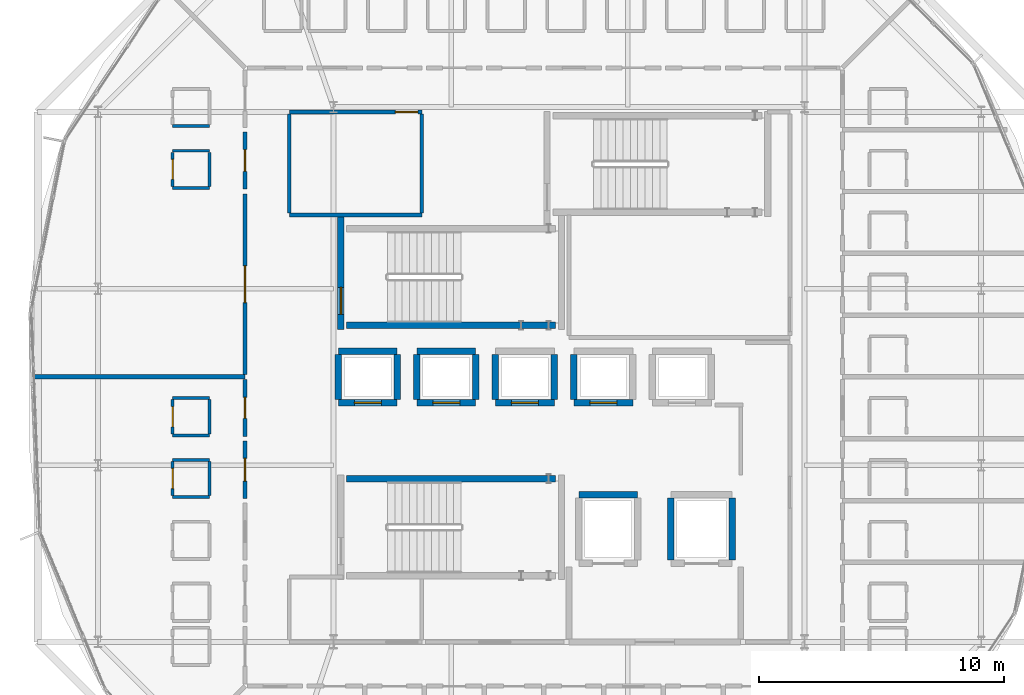
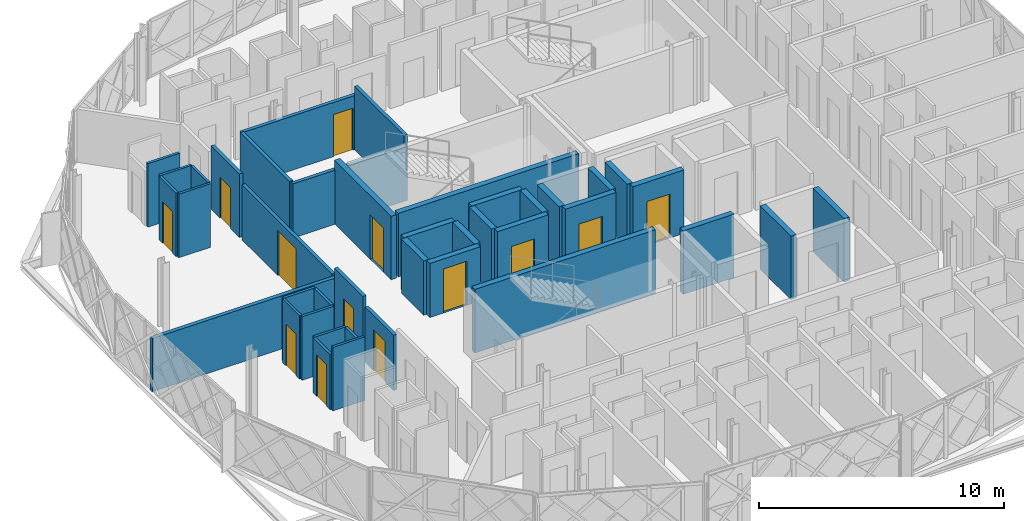
# One storey, part 15 of 24: 41 walls, 13 doors, 13 openings.
"""IFC4 building model written with IfcOpenShell, lengths in metres."""

from ifc_helpers import new_model, si_unit, direction, frame, frame_2d, origin, place, context, subcontext, project, spatial, rectangle, extrude, material, layer, layer_set, type_object, element, fill, save


model = new_model("IFC4")

# Units and contexts
model_context = context("Model", 3, precision=1e-05, world=origin(), true_north=direction((0.0, 1.0)))
body_context = subcontext(model_context, "Body", "Model", "MODEL_VIEW")
ifc_project = project(units=[si_unit("LENGTHUNIT", "METRE"), si_unit("AREAUNIT", "SQUARE_METRE"), si_unit("VOLUMEUNIT", "CUBIC_METRE"), si_unit("PLANEANGLEUNIT", "RADIAN"), si_unit("MASSUNIT", "GRAM", prefix="KILO")], contexts=[model_context])

# Site, building, storey
site_placement = place(None, origin())
site = spatial("IfcSite", under=ifc_project, at=site_placement, CompositionType="ELEMENT")
building_placement = place(site_placement, origin())
building = spatial("IfcBuilding", under=site, at=building_placement, Name="Zevrakil Square Congress Hotel", CompositionType="ELEMENT")
storey_placement = place(building_placement, frame((0.0, 0.0, 31.699951171875)))
storey = spatial("IfcBuildingStorey", under=building, at=storey_placement, Name="L09", CompositionType="ELEMENT", Elevation=31.699951171875)

# Wall
ifc_material_1 = material(Name="Gypsum Acoustic Stud Partition")
ifc_layer_1 = layer(ifc_material_1, 0.159912109375)
ifc_layer_set_1 = layer_set([ifc_layer_1], Name="Gypsum Acoustic Stud Partition")
wall_type_1 = type_object("IfcWallType", Name="WAL-CORR-160", PredefinedType="PARTITIONING", material=ifc_layer_set_1)
wall_1_placement = place(storey_placement, frame((135.0, 34.199951171875, 0.0), z_axis=(0.0, 0.0, 1.0), x_axis=(1.0, 0.0, 0.0)))
element("IfcWall", 1, at=wall_1_placement, inside=storey, type_object=wall_type_1, Name="L09 interior partition PW-L09-1356", PredefinedType="PARTITIONING", context=body_context, shape_type="SweptSolid", body=[
    extrude(rectangle(XDim=5.39990234375, YDim=0.159912109375, at=frame_2d((2.699951171875, 0.0))), origin(), (0.0, 0.0, 1.0), 2.705078125),
])

# Wall, opening, door
wall_2_placement = place(storey_placement, frame((135.0, 38.39990234375, 0.0), z_axis=(0.0, 0.0, 1.0), x_axis=(1.0, 0.0, 0.0)))
wall_2 = element("IfcWall", 2, at=wall_2_placement, inside=storey, type_object=wall_type_1, Name="L09 interior partition PW-L09-1357", PredefinedType="PARTITIONING", context=body_context, shape_type="SweptSolid", body=[
    extrude(rectangle(XDim=5.39990234375, YDim=0.159912109375, at=frame_2d((2.699951171875, 0.0))), origin(), (0.0, 0.0, 1.0), 2.705078125),
])
opening_1_placement = place(wall_2_placement, frame((4.320068359375, 0.0, 0.0)))
opening_1 = element("IfcOpeningElement", 3, at=opening_1_placement, cuts=wall_2, Name="Opening ID-07", PredefinedType="OPENING", context=body_context, shape_type="SweptSolid", body=[
    extrude(rectangle(XDim=0.919921875, YDim=2.10009765625, at=frame_2d((0.4599609375, 1.050048828125))), frame((0.0, 0.08984375, 0.0), z_axis=(0.0, -1.0, 0.0), x_axis=(1.0, 0.0, 0.0)), (0.0, 0.0, 1.0), 0.179931640625),
])
ifc_material_2 = material(Name="Accessible Restroom Door")
door_type_1 = type_object("IfcDoorType", Name="DOR-WC-092", OperationType="NOTDEFINED", PredefinedType="DOOR", material=ifc_material_2)
door_1_placement = place(opening_1_placement, origin())
door_1 = element("IfcDoor", 4, at=door_1_placement, inside=storey, type_object=door_type_1, Name="L09 interior door 530", OperationType="SINGLE_SWING_RIGHT", OverallHeight=2.10009765625, OverallWidth=0.919921875, PredefinedType="DOOR", context=body_context, shape_type="SweptSolid", body=[
    extrude(rectangle(XDim=0.919921875, YDim=2.10009765625, at=frame_2d((0.4599609375, 1.050048828125))), frame((0.0, 0.02490234375, 0.0), z_axis=(0.0, -1.0, 0.0), x_axis=(1.0, 0.0, 0.0)), (0.0, 0.0, 1.0), 0.050048828125),
])
fill(opening_1, door_1)

# Walls
wall_3_placement = place(storey_placement, frame((135.0, 34.284912109375, 0.0), z_axis=(0.0, 0.0, 1.0), x_axis=(0.0, 1.0, 0.0)))
element("IfcWall", 5, at=wall_3_placement, inside=storey, type_object=wall_type_1, Name="L09 interior partition PW-L09-1358", PredefinedType="PARTITIONING", context=body_context, shape_type="SweptSolid", body=[
    extrude(rectangle(XDim=4.030029296875, YDim=0.159912109375, at=frame_2d((2.01513671875, 0.0))), origin(), (0.0, 0.0, 1.0), 2.755126953125),
])
wall_4_placement = place(storey_placement, frame((140.39990234375, 34.284912109375, 0.0), z_axis=(0.0, 0.0, 1.0), x_axis=(0.0, 1.0, 0.0)))
element("IfcWall", 6, at=wall_4_placement, inside=storey, type_object=wall_type_1, Name="L09 interior partition PW-L09-1359", PredefinedType="PARTITIONING", context=body_context, shape_type="SweptSolid", body=[
    extrude(rectangle(XDim=4.030029296875, YDim=0.159912109375, at=frame_2d((2.01513671875, 0.0))), origin(), (0.0, 0.0, 1.0), 3.170166015625),
])

# Wall, opening, door
wall_5_placement = place(storey_placement, frame((133.199951171875, 27.695068359375, 0.0), z_axis=(0.0, 0.0, 1.0), x_axis=(0.0, 1.0, 0.0)))
wall_5 = element("IfcWall", 7, at=wall_5_placement, inside=storey, type_object=wall_type_1, Name="L09 interior partition PW-L09-1369", PredefinedType="PARTITIONING", context=body_context, shape_type="SweptSolid", body=[
    extrude(rectangle(XDim=7.369873046875, YDim=0.159912109375, at=frame_2d((3.68505859375, 0.0))), origin(), (0.0, 0.0, 1.0), 2.755126953125),
])
opening_2_placement = place(wall_5_placement, frame((2.93505859375, 0.0, 0.0)))
opening_2 = element("IfcOpeningElement", 8, at=opening_2_placement, cuts=wall_5, Name="Opening ID-03", PredefinedType="OPENING", context=body_context, shape_type="SweptSolid", body=[
    extrude(rectangle(XDim=1.5, YDim=2.25, at=frame_2d((0.75, 1.125))), frame((0.0, 0.08984375, 0.0), z_axis=(0.0, -1.0, 0.0), x_axis=(1.0, 0.0, 0.0)), (0.0, 0.0, 1.0), 0.179931640625),
])
ifc_material_3 = material(Name="Acoustic Double Meeting Door")
door_type_2 = type_object("IfcDoorType", Name="DOR-MTG-150", OperationType="NOTDEFINED", PredefinedType="DOOR", material=ifc_material_3)
door_2_placement = place(opening_2_placement, origin())
door_2 = element("IfcDoor", 9, at=door_2_placement, inside=storey, type_object=door_type_2, Name="L09 interior door 533", OperationType="DOUBLE_DOOR_SINGLE_SWING", OverallHeight=2.25, OverallWidth=1.5, PredefinedType="DOOR", context=body_context, shape_type="SweptSolid", body=[
    extrude(rectangle(XDim=1.5, YDim=2.25, at=frame_2d((0.75, 1.125))), frame((0.0, 0.02490234375, 0.0), z_axis=(0.0, -1.0, 0.0), x_axis=(1.0, 0.0, 0.0)), (0.0, 0.0, 1.0), 0.050048828125),
])
fill(opening_2, door_2)

wall_6_placement = place(storey_placement, frame((133.199951171875, 35.2548828125, 0.0), z_axis=(0.0, 0.0, 1.0), x_axis=(0.0, 1.0, 0.0)))
wall_6 = element("IfcWall", 10, at=wall_6_placement, inside=storey, type_object=wall_type_1, Name="L09 interior partition PW-L09-1529", PredefinedType="PARTITIONING", context=body_context, shape_type="SweptSolid", body=[
    extrude(rectangle(XDim=2.330078125, YDim=0.159912109375, at=frame_2d((1.1650390625, 0.0))), origin(), (0.0, 0.0, 1.0), 3.170166015625),
])
opening_3_placement = place(wall_6_placement, frame((0.72509765625, 0.0, 0.0)))
opening_3 = element("IfcOpeningElement", 11, at=opening_3_placement, cuts=wall_6, Name="Opening ID-G02", PredefinedType="OPENING", context=body_context, shape_type="SweptSolid", body=[
    extrude(rectangle(XDim=0.8798828125, YDim=2.050048828125, at=frame_2d((0.43994140625, 1.02490234375))), frame((0.0, 0.08984375, 0.0), z_axis=(0.0, -1.0, 0.0), x_axis=(1.0, 0.0, 0.0)), (0.0, 0.0, 1.0), 0.179931640625),
])
ifc_material_4 = material(Name="Acoustic Timber Fire Door", Category="wood")
door_type_3 = type_object("IfcDoorType", Name="DOR-INT-G02", OperationType="NOTDEFINED", PredefinedType="DOOR", material=ifc_material_4)
door_3_placement = place(opening_3_placement, origin())
door_3 = element("IfcDoor", 12, at=door_3_placement, inside=storey, type_object=door_type_3, Name="L09 interior door 596", OperationType="SINGLE_SWING_RIGHT", OverallHeight=2.050048828125, OverallWidth=0.8798828125, PredefinedType="DOOR", context=body_context, shape_type="SweptSolid", body=[
    extrude(rectangle(XDim=0.8798828125, YDim=2.050048828125, at=frame_2d((0.43994140625, 1.02490234375))), frame((0.0, 0.02490234375, 0.0), z_axis=(0.0, -1.0, 0.0), x_axis=(1.0, 0.0, 0.0)), (0.0, 0.0, 1.0), 0.050048828125),
])
fill(opening_3, door_3)

wall_7_placement = place(storey_placement, frame((133.199951171875, 25.175048828125, 0.0), z_axis=(0.0, 0.0, 1.0), x_axis=(0.0, 1.0, 0.0)))
wall_7 = element("IfcWall", 13, at=wall_7_placement, inside=storey, type_object=wall_type_1, Name="L09 interior partition PW-L09-1534", PredefinedType="PARTITIONING", context=body_context, shape_type="SweptSolid", body=[
    extrude(rectangle(XDim=2.329833984375, YDim=0.159912109375, at=frame_2d((1.1650390625, 0.0))), origin(), (0.0, 0.0, 1.0), 3.170166015625),
])
opening_4_placement = place(wall_7_placement, frame((0.739013671875, 0.0, 0.0)))
opening_4 = element("IfcOpeningElement", 14, at=opening_4_placement, cuts=wall_7, Name="Opening ID-H01", PredefinedType="OPENING", context=body_context, shape_type="SweptSolid", body=[
    extrude(rectangle(XDim=0.85205078125, YDim=2.10009765625, at=frame_2d((0.426025390625, 1.050048828125))), frame((0.0, 0.08984375, 0.0), z_axis=(0.0, -1.0, 0.0), x_axis=(1.0, 0.0, 0.0)), (0.0, 0.0, 1.0), 0.179931640625),
])
ifc_material_5 = material(Name="Acoustic Timber Fire Door", Category="wood")
door_type_4 = type_object("IfcDoorType", Name="DOR-INT-H01", OperationType="NOTDEFINED", PredefinedType="DOOR", material=ifc_material_5)
door_4_placement = place(opening_4_placement, origin())
door_4 = element("IfcDoor", 15, at=door_4_placement, inside=storey, type_object=door_type_4, Name="L09 interior door 598", OperationType="SINGLE_SWING_RIGHT", OverallHeight=2.10009765625, OverallWidth=0.85205078125, PredefinedType="DOOR", context=body_context, shape_type="SweptSolid", body=[
    extrude(rectangle(XDim=0.85205078125, YDim=2.10009765625, at=frame_2d((0.426025390625, 1.050048828125))), frame((0.0, 0.02490234375, 0.0), z_axis=(0.0, -1.0, 0.0), x_axis=(1.0, 0.0, 0.0)), (0.0, 0.0, 1.0), 0.050048828125),
])
fill(opening_4, door_4)

wall_8_placement = place(storey_placement, frame((133.199951171875, 22.655029296875, 0.0), z_axis=(0.0, 0.0, 1.0), x_axis=(0.0, 1.0, 0.0)))
wall_8 = element("IfcWall", 16, at=wall_8_placement, inside=storey, type_object=wall_type_1, Name="L09 interior partition PW-L09-1540", PredefinedType="PARTITIONING", context=body_context, shape_type="SweptSolid", body=[
    extrude(rectangle(XDim=2.330078125, YDim=0.159912109375, at=frame_2d((1.1650390625, 0.0))), origin(), (0.0, 0.0, 1.0), 2.755126953125),
])
opening_5_placement = place(wall_8_placement, frame((0.699951171875, 0.0, 0.0)))
opening_5 = element("IfcOpeningElement", 17, at=opening_5_placement, cuts=wall_8, Name="Opening ID-G04", PredefinedType="OPENING", context=body_context, shape_type="SweptSolid", body=[
    extrude(rectangle(XDim=0.929931640625, YDim=2.050048828125, at=frame_2d((0.46484375, 1.02490234375))), frame((0.0, 0.08984375, 0.0), z_axis=(0.0, -1.0, 0.0), x_axis=(1.0, 0.0, 0.0)), (0.0, 0.0, 1.0), 0.179931640625),
])
ifc_material_6 = material(Name="Acoustic Timber Fire Door", Category="wood")
door_type_5 = type_object("IfcDoorType", Name="DOR-INT-G04", OperationType="NOTDEFINED", PredefinedType="DOOR", material=ifc_material_6)
door_5_placement = place(opening_5_placement, origin())
door_5 = element("IfcDoor", 18, at=door_5_placement, inside=storey, type_object=door_type_5, Name="L09 interior door 600", OperationType="SINGLE_SWING_RIGHT", OverallHeight=2.050048828125, OverallWidth=0.929931640625, PredefinedType="DOOR", context=body_context, shape_type="SweptSolid", body=[
    extrude(rectangle(XDim=0.929931640625, YDim=2.050048828125, at=frame_2d((0.46484375, 1.02490234375))), frame((0.0, 0.02490234375, 0.0), z_axis=(0.0, -1.0, 0.0), x_axis=(1.0, 0.0, 0.0)), (0.0, 0.0, 1.0), 0.050048828125),
])
fill(opening_5, door_5)

# Walls
ifc_material_7 = material(Name="Moisture-Resistant Gypsum Partition")
ifc_layer_2 = layer(ifc_material_7, 0.1201171875)
ifc_layer_set_2 = layer_set([ifc_layer_2], Name="Moisture-Resistant Gypsum Partition")
wall_type_2 = type_object("IfcWallType", Name="WAL-ENS-120", PredefinedType="PARTITIONING", material=ifc_layer_set_2)
for number, where, z_axis, x_axis, name in (
    (19, (130.25, 37.820068359375, 0.0), (0.0, 0.0, 1.0), (1.0, 0.0, 0.0), "L09 interior partition PW-L09-1525"),
    (20, (130.25, 35.300048828125, 0.0), (0.0, 0.0, 1.0), (1.0, 0.0, 0.0), "L09 interior partition PW-L09-1530"),
    (21, (130.25, 36.820068359375, 0.0), (0.0, 0.0, 1.0), (1.0, 0.0, 0.0), "L09 interior partition PW-L09-1531"),
):
    element("IfcWall", number, at=place(storey_placement, frame(where, z_axis=z_axis, x_axis=x_axis)), inside=storey, type_object=wall_type_2, Name=name, PredefinedType="PARTITIONING", context=body_context, shape_type="SweptSolid", body=[
        extrude(rectangle(XDim=1.5, YDim=0.1201171875, at=frame_2d((0.75, 0.0))), origin(), (0.0, 0.0, 1.0), 3.170166015625),
    ])

# Wall, opening, door
wall_9_placement = place(storey_placement, frame((130.25, 35.364990234375, 0.0), z_axis=(0.0, 0.0, 1.0), x_axis=(0.0, 1.0, 0.0)))
wall_9 = element("IfcWall", 22, at=wall_9_placement, inside=storey, type_object=wall_type_2, Name="L09 interior partition PW-L09-1532", PredefinedType="PARTITIONING", context=body_context, shape_type="SweptSolid", body=[
    extrude(rectangle(XDim=1.389892578125, YDim=0.1201171875, at=frame_2d((0.69482421875, 0.0))), origin(), (0.0, 0.0, 1.0), 3.170166015625),
])
opening_6_placement = place(wall_9_placement, frame((0.284912109375, 0.0, 0.0)))
opening_6 = element("IfcOpeningElement", 23, at=opening_6_placement, cuts=wall_9, Name="Opening ID-11", PredefinedType="OPENING", context=body_context, shape_type="SweptSolid", body=[
    extrude(rectangle(XDim=0.820068359375, YDim=2.080078125, at=frame_2d((0.41015625, 1.0400390625))), frame((0.0, 0.070068359375, 0.0), z_axis=(0.0, -1.0, 0.0), x_axis=(1.0, 0.0, 0.0)), (0.0, 0.0, 1.0), 0.14013671875),
])
ifc_material_8 = material(Name="Acoustic Timber Door", Category="wood")
door_type_6 = type_object("IfcDoorType", Name="DOR-INT-V01", OperationType="NOTDEFINED", PredefinedType="DOOR", material=ifc_material_8)
door_6_placement = place(opening_6_placement, origin())
door_6 = element("IfcDoor", 24, at=door_6_placement, inside=storey, type_object=door_type_6, Name="L09 interior door 597", OperationType="SINGLE_SWING_LEFT", OverallHeight=2.080078125, OverallWidth=0.820068359375, PredefinedType="DOOR", context=body_context, shape_type="SweptSolid", body=[
    extrude(rectangle(XDim=0.820068359375, YDim=2.080078125, at=frame_2d((0.41015625, 1.0400390625))), frame((0.0, 0.02490234375, 0.0), z_axis=(0.0, -1.0, 0.0), x_axis=(1.0, 0.0, 0.0)), (0.0, 0.0, 1.0), 0.050048828125),
])
fill(opening_6, door_6)

# Walls
wall_10_placement = place(storey_placement, frame((131.75, 35.364990234375, 0.0), z_axis=(0.0, 0.0, 1.0), x_axis=(0.0, 1.0, 0.0)))
element("IfcWall", 25, at=wall_10_placement, inside=storey, type_object=wall_type_2, Name="L09 interior partition PW-L09-1533", PredefinedType="PARTITIONING", context=body_context, shape_type="SweptSolid", body=[
    extrude(rectangle(XDim=1.389892578125, YDim=0.1201171875, at=frame_2d((0.69482421875, 0.0))), origin(), (0.0, 0.0, 1.0), 3.170166015625),
])
for number, where, z_axis, x_axis, name in (
    (26, (130.25, 25.219970703125, 0.0), (0.0, 0.0, 1.0), (1.0, 0.0, 0.0), "L09 interior partition PW-L09-1535"),
    (27, (130.25, 26.739990234375, 0.0), (0.0, 0.0, 1.0), (1.0, 0.0, 0.0), "L09 interior partition PW-L09-1536"),
):
    element("IfcWall", number, at=place(storey_placement, frame(where, z_axis=z_axis, x_axis=x_axis)), inside=storey, type_object=wall_type_2, Name=name, PredefinedType="PARTITIONING", context=body_context, shape_type="SweptSolid", body=[
        extrude(rectangle(XDim=1.5, YDim=0.1201171875, at=frame_2d((0.75, 0.0))), origin(), (0.0, 0.0, 1.0), 3.170166015625),
    ])

# Wall, opening, door
wall_11_placement = place(storey_placement, frame((130.25, 25.284912109375, 0.0), z_axis=(0.0, 0.0, 1.0), x_axis=(0.0, 1.0, 0.0)))
wall_11 = element("IfcWall", 28, at=wall_11_placement, inside=storey, type_object=wall_type_2, Name="L09 interior partition PW-L09-1537", PredefinedType="PARTITIONING", context=body_context, shape_type="SweptSolid", body=[
    extrude(rectangle(XDim=1.39013671875, YDim=0.1201171875, at=frame_2d((0.695068359375, 0.0))), origin(), (0.0, 0.0, 1.0), 3.170166015625),
])
opening_7_placement = place(wall_11_placement, frame((0.284912109375, 0.0, 0.0)))
opening_7 = element("IfcOpeningElement", 29, at=opening_7_placement, cuts=wall_11, Name="Opening ID-11", PredefinedType="OPENING", context=body_context, shape_type="SweptSolid", body=[
    extrude(rectangle(XDim=0.820068359375, YDim=2.080078125, at=frame_2d((0.41015625, 1.0400390625))), frame((0.0, 0.070068359375, 0.0), z_axis=(0.0, -1.0, 0.0), x_axis=(1.0, 0.0, 0.0)), (0.0, 0.0, 1.0), 0.14013671875),
])
door_7_placement = place(opening_7_placement, origin())
door_7 = element("IfcDoor", 30, at=door_7_placement, inside=storey, type_object=door_type_6, Name="L09 interior door 599", OperationType="SINGLE_SWING_LEFT", OverallHeight=2.080078125, OverallWidth=0.820068359375, PredefinedType="DOOR", context=body_context, shape_type="SweptSolid", body=[
    extrude(rectangle(XDim=0.820068359375, YDim=2.080078125, at=frame_2d((0.41015625, 1.0400390625))), frame((0.0, 0.02490234375, 0.0), z_axis=(0.0, -1.0, 0.0), x_axis=(1.0, 0.0, 0.0)), (0.0, 0.0, 1.0), 0.050048828125),
])
fill(opening_7, door_7)

# Walls
wall_12_placement = place(storey_placement, frame((131.75, 25.284912109375, 0.0), z_axis=(0.0, 0.0, 1.0), x_axis=(0.0, 1.0, 0.0)))
element("IfcWall", 31, at=wall_12_placement, inside=storey, type_object=wall_type_2, Name="L09 interior partition PW-L09-1538", PredefinedType="PARTITIONING", context=body_context, shape_type="SweptSolid", body=[
    extrude(rectangle(XDim=1.39013671875, YDim=0.1201171875, at=frame_2d((0.695068359375, 0.0))), origin(), (0.0, 0.0, 1.0), 3.170166015625),
])
wall_13_placement = place(storey_placement, frame((130.25, 22.699951171875, 0.0), z_axis=(0.0, 0.0, 1.0), x_axis=(1.0, 0.0, 0.0)))
element("IfcWall", 32, at=wall_13_placement, inside=storey, type_object=wall_type_2, Name="L09 interior partition PW-L09-1541", PredefinedType="PARTITIONING", context=body_context, shape_type="SweptSolid", body=[
    extrude(rectangle(XDim=1.5, YDim=0.1201171875, at=frame_2d((0.75, 0.0))), origin(), (0.0, 0.0, 1.0), 3.170166015625),
])
wall_14_placement = place(storey_placement, frame((130.25, 24.219970703125, 0.0), z_axis=(0.0, 0.0, 1.0), x_axis=(1.0, 0.0, 0.0)))
element("IfcWall", 33, at=wall_14_placement, inside=storey, type_object=wall_type_2, Name="L09 interior partition PW-L09-1542", PredefinedType="PARTITIONING", context=body_context, shape_type="SweptSolid", body=[
    extrude(rectangle(XDim=1.5, YDim=0.1201171875, at=frame_2d((0.75, 0.0))), origin(), (0.0, 0.0, 1.0), 2.755126953125),
])

# Wall, opening, door
wall_15_placement = place(storey_placement, frame((130.25, 22.764892578125, 0.0), z_axis=(0.0, 0.0, 1.0), x_axis=(0.0, 1.0, 0.0)))
wall_15 = element("IfcWall", 34, at=wall_15_placement, inside=storey, type_object=wall_type_2, Name="L09 interior partition PW-L09-1543", PredefinedType="PARTITIONING", context=body_context, shape_type="SweptSolid", body=[
    extrude(rectangle(XDim=1.39013671875, YDim=0.1201171875, at=frame_2d((0.695068359375, 0.0))), origin(), (0.0, 0.0, 1.0), 2.755126953125),
])
opening_8_placement = place(wall_15_placement, frame((0.284912109375, 0.0, 0.0)))
opening_8 = element("IfcOpeningElement", 35, at=opening_8_placement, cuts=wall_15, Name="Opening ID-11", PredefinedType="OPENING", context=body_context, shape_type="SweptSolid", body=[
    extrude(rectangle(XDim=0.820068359375, YDim=2.080078125, at=frame_2d((0.41015625, 1.0400390625))), frame((0.0, 0.070068359375, 0.0), z_axis=(0.0, -1.0, 0.0), x_axis=(1.0, 0.0, 0.0)), (0.0, 0.0, 1.0), 0.14013671875),
])
door_8_placement = place(opening_8_placement, origin())
door_8 = element("IfcDoor", 36, at=door_8_placement, inside=storey, type_object=door_type_6, Name="L09 interior door 601", OperationType="SINGLE_SWING_LEFT", OverallHeight=2.080078125, OverallWidth=0.820068359375, PredefinedType="DOOR", context=body_context, shape_type="SweptSolid", body=[
    extrude(rectangle(XDim=0.820068359375, YDim=2.080078125, at=frame_2d((0.41015625, 1.0400390625))), frame((0.0, 0.02490234375, 0.0), z_axis=(0.0, -1.0, 0.0), x_axis=(1.0, 0.0, 0.0)), (0.0, 0.0, 1.0), 0.050048828125),
])
fill(opening_8, door_8)

# Walls
wall_16_placement = place(storey_placement, frame((131.75, 22.764892578125, 0.0), z_axis=(0.0, 0.0, 1.0), x_axis=(0.0, 1.0, 0.0)))
element("IfcWall", 37, at=wall_16_placement, inside=storey, type_object=wall_type_2, Name="L09 interior partition PW-L09-1544", PredefinedType="PARTITIONING", context=body_context, shape_type="SweptSolid", body=[
    extrude(rectangle(XDim=1.39013671875, YDim=0.1201171875, at=frame_2d((0.695068359375, 0.0))), origin(), (0.0, 0.0, 1.0), 2.755126953125),
])
ifc_material_9 = material(Name="Gypsum Twin-Stud Party Partition")
ifc_layer_3 = layer(ifc_material_9, 0.179931640625)
ifc_layer_set_3 = layer_set([ifc_layer_3], Name="Gypsum Twin-Stud Party Partition")
wall_type_3 = type_object("IfcWallType", Name="WAL-PARTY-180", PredefinedType="PARTITIONING", material=ifc_layer_set_3)
wall_17_placement = place(storey_placement, frame((124.534912109375, 27.60009765625, 0.0), z_axis=(0.0, 0.0, 1.0), x_axis=(1.0, 0.0, 0.0)))
element("IfcWall", 38, at=wall_17_placement, inside=storey, type_object=wall_type_3, Name="L09 interior partition PW-L09-1539", PredefinedType="PARTITIONING", context=body_context, shape_type="SweptSolid", body=[
    extrude(rectangle(XDim=8.6650390625, YDim=0.179931640625, at=frame_2d((4.33251953125, 0.0))), origin(), (0.0, 0.0, 1.0), 2.655029296875),
])
ifc_material_10 = material(Name="Concrete C40/50", Category="concrete")
ifc_layer_4 = layer(ifc_material_10, 0.260009765625)
ifc_layer_set_4 = layer_set([ifc_layer_4], Name="Concrete C40/50")
wall_type_4 = type_object("IfcWallType", Name="WAL-SHAFT-260", PredefinedType="SHEAR", material=ifc_layer_set_4)
wall_18_placement = place(storey_placement, frame((137.340087890625, 23.445068359375, 0.0), z_axis=(0.0, 0.0, 1.0), x_axis=(1.0, 0.0, 0.0)))
element("IfcWall", 39, at=wall_18_placement, inside=storey, type_object=wall_type_4, Name="L09 ST01 stair shaft N wall", PredefinedType="SHEAR", context=body_context, shape_type="SweptSolid", body=[
    extrude(rectangle(XDim=8.52001953125, YDim=0.260009765625, at=frame_2d((4.260009765625, 0.0))), origin(), (0.0, 0.0, 1.0), 3.170166015625),
])

# Wall, opening, door
wall_19_placement = place(storey_placement, frame((137.10498046875, 29.5400390625, 0.0), z_axis=(0.0, 0.0, 1.0), x_axis=(0.0, 1.0, 0.0)))
wall_19 = element("IfcWall", 40, at=wall_19_placement, inside=storey, type_object=wall_type_4, Name="L09 ST02 stair shaft W wall", PredefinedType="SHEAR", context=body_context, shape_type="SweptSolid", body=[
    extrude(rectangle(XDim=4.635009765625, YDim=0.260009765625, at=frame_2d((2.3173828125, 0.0))), origin(), (0.0, 0.0, 1.0), 3.170166015625),
])
opening_9_placement = place(wall_19_placement, frame((0.610107421875, 0.0, 0.0)))
opening_9 = element("IfcOpeningElement", 41, at=opening_9_placement, cuts=wall_19, Name="Opening SD-ST02", PredefinedType="OPENING", context=body_context, shape_type="SweptSolid", body=[
    extrude(rectangle(XDim=1.10009765625, YDim=2.199951171875, at=frame_2d((0.550048828125, 1.10009765625))), frame((0.0, 0.14013671875, 0.0), z_axis=(0.0, -1.0, 0.0), x_axis=(1.0, 0.0, 0.0)), (0.0, 0.0, 1.0), 0.280029296875),
])
ifc_material_11 = material(Name="Steel S355 Fire-Rated Door", Category="steel")
door_type_7 = type_object("IfcDoorType", Name="DOR-STAIR-FD90-110", OperationType="NOTDEFINED", PredefinedType="DOOR", material=ifc_material_11)
door_9_placement = place(opening_9_placement, origin())
door_9 = element("IfcDoor", 42, at=door_9_placement, inside=storey, type_object=door_type_7, Name="L09 ST02 protected stair fire door", OperationType="SINGLE_SWING_RIGHT", OverallHeight=2.199951171875, OverallWidth=1.10009765625, PredefinedType="DOOR", context=body_context, shape_type="SweptSolid", body=[
    extrude(rectangle(XDim=1.10009765625, YDim=2.199951171875, at=frame_2d((0.550048828125, 1.10009765625))), frame((0.0, 0.02490234375, 0.0), z_axis=(0.0, -1.0, 0.0), x_axis=(1.0, 0.0, 0.0)), (0.0, 0.0, 1.0), 0.050048828125),
])
fill(opening_9, door_9)

# Wall
wall_20_placement = place(storey_placement, frame((137.340087890625, 29.705078125, 0.0), z_axis=(0.0, 0.0, 1.0), x_axis=(1.0, 0.0, 0.0)))
element("IfcWall", 43, at=wall_20_placement, inside=storey, type_object=wall_type_4, Name="L09 ST02 stair shaft S wall", PredefinedType="SHEAR", context=body_context, shape_type="SweptSolid", body=[
    extrude(rectangle(XDim=8.52001953125, YDim=0.260009765625, at=frame_2d((4.260009765625, 0.0))), origin(), (0.0, 0.0, 1.0), 3.170166015625),
])

# Wall, opening, door
wall_21_placement = place(storey_placement, frame((137.0, 26.550048828125, 0.0), z_axis=(0.0, 0.0, 1.0), x_axis=(1.0, 0.0, 0.0)))
wall_21 = element("IfcWall", 44, at=wall_21_placement, inside=storey, type_object=wall_type_4, Name="L09 HL1 lift shaft wall", PredefinedType="SHEAR", context=body_context, shape_type="SweptSolid", body=[
    extrude(rectangle(XDim=2.39990234375, YDim=0.260009765625, at=frame_2d((1.199951171875, 0.0))), origin(), (0.0, 0.0, 1.0), 2.705078125),
])
opening_10_placement = place(wall_21_placement, frame((0.64990234375, 0.0, 0.0)))
opening_10 = element("IfcOpeningElement", 45, at=opening_10_placement, cuts=wall_21, Name="Opening LD-HL1", PredefinedType="OPENING", context=body_context, shape_type="SweptSolid", body=[
    extrude(rectangle(XDim=1.10009765625, YDim=2.199951171875, at=frame_2d((0.550048828125, 1.10009765625))), frame((0.0, 0.14013671875, 0.0), z_axis=(0.0, -1.0, 0.0), x_axis=(1.0, 0.0, 0.0)), (0.0, 0.0, 1.0), 0.280029296875),
])
ifc_material_12 = material(Name="Stainless Steel Sliding Lift Landing Door", Category="steel")
door_type_8 = type_object("IfcDoorType", Name="DOR-LIFT-LD110", OperationType="NOTDEFINED", PredefinedType="DOOR", material=ifc_material_12)
door_10_placement = place(opening_10_placement, origin())
door_10 = element("IfcDoor", 46, at=door_10_placement, inside=storey, type_object=door_type_8, Name="L09 HL1 sliding lift landing door", OperationType="SLIDING_TO_LEFT", OverallHeight=2.199951171875, OverallWidth=1.10009765625, PredefinedType="DOOR", context=body_context, shape_type="SweptSolid", body=[
    extrude(rectangle(XDim=1.10009765625, YDim=2.199951171875, at=frame_2d((0.550048828125, 1.10009765625))), frame((0.0, 0.02490234375, 0.0), z_axis=(0.0, -1.0, 0.0), x_axis=(1.0, 0.0, 0.0)), (0.0, 0.0, 1.0), 0.050048828125),
])
fill(opening_10, door_10)

# Walls
wall_22_placement = place(storey_placement, frame((137.0, 28.64990234375, 0.0), z_axis=(0.0, 0.0, 1.0), x_axis=(1.0, 0.0, 0.0)))
element("IfcWall", 47, at=wall_22_placement, inside=storey, type_object=wall_type_4, Name="L09 HL1 lift shaft wall", PredefinedType="SHEAR", context=body_context, shape_type="SweptSolid", body=[
    extrude(rectangle(XDim=2.39990234375, YDim=0.260009765625, at=frame_2d((1.199951171875, 0.0))), origin(), (0.0, 0.0, 1.0), 2.705078125),
])
for number, where, z_axis, x_axis, name in (
    (48, (137.0, 26.68994140625, 0.0), (0.0, 0.0, 1.0), (0.0, 1.0, 0.0), "L09 HL1 lift shaft wall"),
    (49, (139.39990234375, 26.68994140625, 0.0), (0.0, 0.0, 1.0), (0.0, 1.0, 0.0), "L09 HL1 lift shaft wall"),
):
    element("IfcWall", number, at=place(storey_placement, frame(where, z_axis=z_axis, x_axis=x_axis)), inside=storey, type_object=wall_type_4, Name=name, PredefinedType="SHEAR", context=body_context, shape_type="SweptSolid", body=[
        extrude(rectangle(XDim=1.820068359375, YDim=0.260009765625, at=frame_2d((0.91015625, 0.0))), origin(), (0.0, 0.0, 1.0), 2.705078125),
    ])

# Wall, opening, door
wall_23_placement = place(storey_placement, frame((140.199951171875, 26.550048828125, 0.0), z_axis=(0.0, 0.0, 1.0), x_axis=(1.0, 0.0, 0.0)))
wall_23 = element("IfcWall", 50, at=wall_23_placement, inside=storey, type_object=wall_type_4, Name="L09 HL2 lift shaft wall", PredefinedType="SHEAR", context=body_context, shape_type="SweptSolid", body=[
    extrude(rectangle(XDim=2.400146484375, YDim=0.260009765625, at=frame_2d((1.2001953125, 0.0))), origin(), (0.0, 0.0, 1.0), 3.170166015625),
])
opening_11_placement = place(wall_23_placement, frame((0.64990234375, 0.0, 0.0)))
opening_11 = element("IfcOpeningElement", 51, at=opening_11_placement, cuts=wall_23, Name="Opening LD-HL2", PredefinedType="OPENING", context=body_context, shape_type="SweptSolid", body=[
    extrude(rectangle(XDim=1.10009765625, YDim=2.199951171875, at=frame_2d((0.550048828125, 1.10009765625))), frame((0.0, 0.14013671875, 0.0), z_axis=(0.0, -1.0, 0.0), x_axis=(1.0, 0.0, 0.0)), (0.0, 0.0, 1.0), 0.280029296875),
])
door_11_placement = place(opening_11_placement, origin())
door_11 = element("IfcDoor", 52, at=door_11_placement, inside=storey, type_object=door_type_8, Name="L09 HL2 sliding lift landing door", OperationType="SLIDING_TO_RIGHT", OverallHeight=2.199951171875, OverallWidth=1.10009765625, PredefinedType="DOOR", context=body_context, shape_type="SweptSolid", body=[
    extrude(rectangle(XDim=1.10009765625, YDim=2.199951171875, at=frame_2d((0.550048828125, 1.10009765625))), frame((0.0, 0.02490234375, 0.0), z_axis=(0.0, -1.0, 0.0), x_axis=(1.0, 0.0, 0.0)), (0.0, 0.0, 1.0), 0.050048828125),
])
fill(opening_11, door_11)

# Walls
wall_24_placement = place(storey_placement, frame((140.199951171875, 28.64990234375, 0.0), z_axis=(0.0, 0.0, 1.0), x_axis=(1.0, 0.0, 0.0)))
element("IfcWall", 53, at=wall_24_placement, inside=storey, type_object=wall_type_4, Name="L09 HL2 lift shaft wall", PredefinedType="SHEAR", context=body_context, shape_type="SweptSolid", body=[
    extrude(rectangle(XDim=2.400146484375, YDim=0.260009765625, at=frame_2d((1.2001953125, 0.0))), origin(), (0.0, 0.0, 1.0), 3.170166015625),
])
for number, where, z_axis, x_axis, name in (
    (54, (140.199951171875, 26.68994140625, 0.0), (0.0, 0.0, 1.0), (0.0, 1.0, 0.0), "L09 HL2 lift shaft wall"),
    (55, (142.60009765625, 26.68994140625, 0.0), (0.0, 0.0, 1.0), (0.0, 1.0, 0.0), "L09 HL2 lift shaft wall"),
):
    element("IfcWall", number, at=place(storey_placement, frame(where, z_axis=z_axis, x_axis=x_axis)), inside=storey, type_object=wall_type_4, Name=name, PredefinedType="SHEAR", context=body_context, shape_type="SweptSolid", body=[
        extrude(rectangle(XDim=1.820068359375, YDim=0.260009765625, at=frame_2d((0.91015625, 0.0))), origin(), (0.0, 0.0, 1.0), 3.170166015625),
    ])

# Wall, opening, door
wall_25_placement = place(storey_placement, frame((143.39990234375, 26.550048828125, 0.0), z_axis=(0.0, 0.0, 1.0), x_axis=(1.0, 0.0, 0.0)))
wall_25 = element("IfcWall", 56, at=wall_25_placement, inside=storey, type_object=wall_type_4, Name="L09 HL3 lift shaft wall", PredefinedType="SHEAR", context=body_context, shape_type="SweptSolid", body=[
    extrude(rectangle(XDim=2.400146484375, YDim=0.260009765625, at=frame_2d((1.2001953125, 0.0))), origin(), (0.0, 0.0, 1.0), 3.170166015625),
])
opening_12_placement = place(wall_25_placement, frame((0.64990234375, 0.0, 0.0)))
opening_12 = element("IfcOpeningElement", 57, at=opening_12_placement, cuts=wall_25, Name="Opening LD-HL3", PredefinedType="OPENING", context=body_context, shape_type="SweptSolid", body=[
    extrude(rectangle(XDim=1.10009765625, YDim=2.199951171875, at=frame_2d((0.550048828125, 1.10009765625))), frame((0.0, 0.14013671875, 0.0), z_axis=(0.0, -1.0, 0.0), x_axis=(1.0, 0.0, 0.0)), (0.0, 0.0, 1.0), 0.280029296875),
])
door_12_placement = place(opening_12_placement, origin())
door_12 = element("IfcDoor", 58, at=door_12_placement, inside=storey, type_object=door_type_8, Name="L09 HL3 sliding lift landing door", OperationType="SLIDING_TO_LEFT", OverallHeight=2.199951171875, OverallWidth=1.10009765625, PredefinedType="DOOR", context=body_context, shape_type="SweptSolid", body=[
    extrude(rectangle(XDim=1.10009765625, YDim=2.199951171875, at=frame_2d((0.550048828125, 1.10009765625))), frame((0.0, 0.02490234375, 0.0), z_axis=(0.0, -1.0, 0.0), x_axis=(1.0, 0.0, 0.0)), (0.0, 0.0, 1.0), 0.050048828125),
])
fill(opening_12, door_12)

# Walls
for number, where, z_axis, x_axis, name in (
    (59, (143.39990234375, 26.68994140625, 0.0), (0.0, 0.0, 1.0), (0.0, 1.0, 0.0), "L09 HL3 lift shaft wall"),
    (60, (145.800048828125, 26.68994140625, 0.0), (0.0, 0.0, 1.0), (0.0, 1.0, 0.0), "L09 HL3 lift shaft wall"),
):
    element("IfcWall", number, at=place(storey_placement, frame(where, z_axis=z_axis, x_axis=x_axis)), inside=storey, type_object=wall_type_4, Name=name, PredefinedType="SHEAR", context=body_context, shape_type="SweptSolid", body=[
        extrude(rectangle(XDim=1.820068359375, YDim=0.260009765625, at=frame_2d((0.91015625, 0.0))), origin(), (0.0, 0.0, 1.0), 3.170166015625),
    ])

# Wall, opening, door
wall_26_placement = place(storey_placement, frame((146.60009765625, 26.550048828125, 0.0), z_axis=(0.0, 0.0, 1.0), x_axis=(1.0, 0.0, 0.0)))
wall_26 = element("IfcWall", 61, at=wall_26_placement, inside=storey, type_object=wall_type_4, Name="L09 HL4 lift shaft wall", PredefinedType="SHEAR", context=body_context, shape_type="SweptSolid", body=[
    extrude(rectangle(XDim=2.39990234375, YDim=0.260009765625, at=frame_2d((1.199951171875, 0.0))), origin(), (0.0, 0.0, 1.0), 3.170166015625),
])
opening_13_placement = place(wall_26_placement, frame((0.64990234375, 0.0, 0.0)))
opening_13 = element("IfcOpeningElement", 62, at=opening_13_placement, cuts=wall_26, Name="Opening LD-HL4", PredefinedType="OPENING", context=body_context, shape_type="SweptSolid", body=[
    extrude(rectangle(XDim=1.10009765625, YDim=2.199951171875, at=frame_2d((0.550048828125, 1.10009765625))), frame((0.0, 0.14013671875, 0.0), z_axis=(0.0, -1.0, 0.0), x_axis=(1.0, 0.0, 0.0)), (0.0, 0.0, 1.0), 0.280029296875),
])
door_13_placement = place(opening_13_placement, origin())
door_13 = element("IfcDoor", 63, at=door_13_placement, inside=storey, type_object=door_type_8, Name="L09 HL4 sliding lift landing door", OperationType="SLIDING_TO_RIGHT", OverallHeight=2.199951171875, OverallWidth=1.10009765625, PredefinedType="DOOR", context=body_context, shape_type="SweptSolid", body=[
    extrude(rectangle(XDim=1.10009765625, YDim=2.199951171875, at=frame_2d((0.550048828125, 1.10009765625))), frame((0.0, 0.02490234375, 0.0), z_axis=(0.0, -1.0, 0.0), x_axis=(1.0, 0.0, 0.0)), (0.0, 0.0, 1.0), 0.050048828125),
])
fill(opening_13, door_13)

# Walls
wall_27_placement = place(storey_placement, frame((146.60009765625, 26.68994140625, 0.0), z_axis=(0.0, 0.0, 1.0), x_axis=(0.0, 1.0, 0.0)))
element("IfcWall", 64, at=wall_27_placement, inside=storey, type_object=wall_type_4, Name="L09 HL4 lift shaft wall", PredefinedType="SHEAR", context=body_context, shape_type="SweptSolid", body=[
    extrude(rectangle(XDim=1.820068359375, YDim=0.260009765625, at=frame_2d((0.91015625, 0.0))), origin(), (0.0, 0.0, 1.0), 3.170166015625),
])
wall_28_placement = place(storey_placement, frame((146.800048828125, 22.800048828125, 0.0), z_axis=(0.0, 0.0, 1.0), x_axis=(1.0, 0.0, 0.0)))
element("IfcWall", 65, at=wall_28_placement, inside=storey, type_object=wall_type_4, Name="L09 FFL1 lift shaft wall", PredefinedType="SHEAR", context=body_context, shape_type="SweptSolid", body=[
    extrude(rectangle(XDim=2.39990234375, YDim=0.260009765625, at=frame_2d((1.199951171875, 0.0))), origin(), (0.0, 0.0, 1.0), 3.170166015625),
])
for number, where, z_axis, x_axis, name in (
    (66, (150.550048828125, 20.139892578125, 0.0), (0.0, 0.0, 1.0), (0.0, 1.0, 0.0), "L09 SL1 lift shaft wall"),
    (67, (153.050048828125, 20.139892578125, 0.0), (0.0, 0.0, 1.0), (0.0, 1.0, 0.0), "L09 SL1 lift shaft wall"),
):
    element("IfcWall", number, at=place(storey_placement, frame(where, z_axis=z_axis, x_axis=x_axis)), inside=storey, type_object=wall_type_4, Name=name, PredefinedType="SHEAR", context=body_context, shape_type="SweptSolid", body=[
        extrude(rectangle(XDim=2.52001953125, YDim=0.260009765625, at=frame_2d((1.260009765625, 0.0))), origin(), (0.0, 0.0, 1.0), 3.170166015625),
    ])

save(model, "model.ifc")
